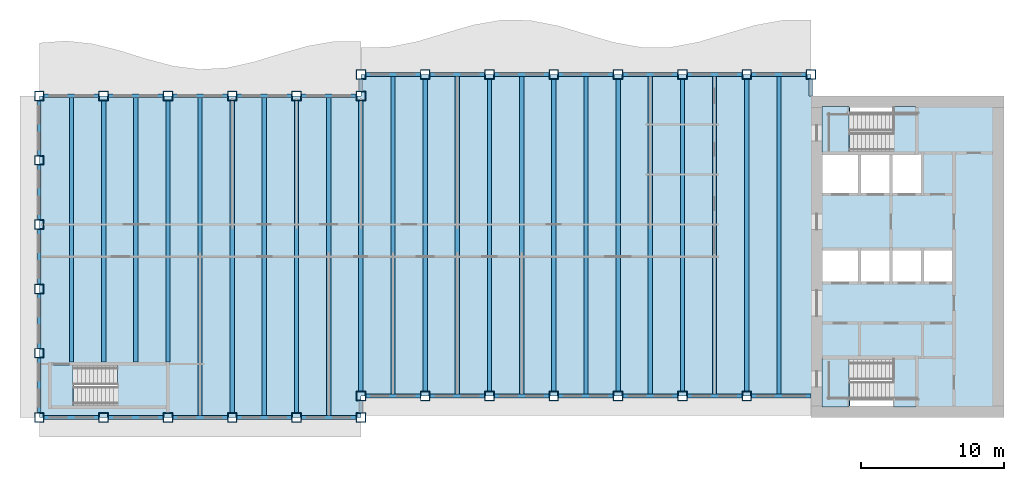
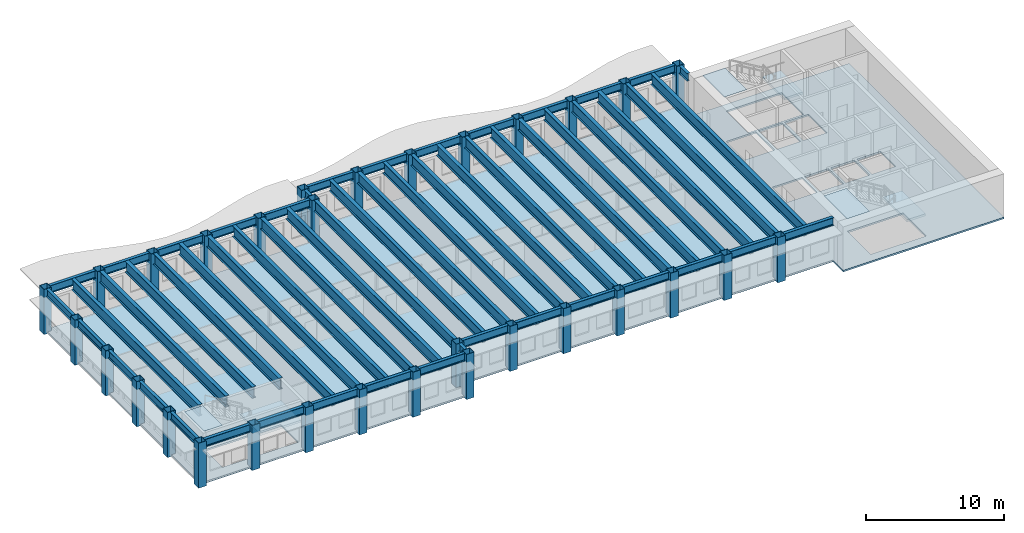
# One storey, part 1 of 12: 55 beams, 31 columns, 7 slabs, 3 elements without a shape of their own.
"""IFC4 building model written with IfcOpenShell, lengths in metres."""

from ifc_helpers import new_model, si_unit, direction, frame, origin, origin_2d, place, context, subcontext, project, spatial, polyline, hollow_rectangle, i_section, outline, extrude, material, layer, layer_set, material_profile, profile_set, type_object, element, aggregate, save


model = new_model("IFC4")

# Units and contexts
model_context = context("Model", 3, precision=1e-05, world=origin(), true_north=direction((0.0, 1.0)))
body_context = subcontext(model_context, "Body", "Model", "MODEL_VIEW")
ifc_project = project(units=[si_unit("LENGTHUNIT", "METRE"), si_unit("AREAUNIT", "SQUARE_METRE"), si_unit("VOLUMEUNIT", "CUBIC_METRE"), si_unit("PLANEANGLEUNIT", "RADIAN"), si_unit("MASSUNIT", "GRAM", prefix="KILO")], contexts=[model_context])

# Site, building, storey
site_placement = place(None, origin())
site = spatial("IfcSite", under=ifc_project, at=site_placement, CompositionType="ELEMENT")
building_placement = place(site_placement, origin())
building = spatial("IfcBuilding", under=site, at=building_placement, Name="Sennacour Bend Tower", CompositionType="ELEMENT")
storey_placement = place(building_placement, frame((0.0, 0.0, 265.0)))
storey = spatial("IfcBuildingStorey", under=building, at=storey_placement, Name="L61", CompositionType="ELEMENT", Elevation=265.0)

# Columns
ifc_material_1 = material(Name="Steel ASTM A572 Grade 50", Category="steel")
ifc_material_profile_1 = material_profile(ifc_material_1, hollow_rectangle(XDim=0.64990234375, YDim=0.64990234375, WallThickness=0.031982421875, at=origin_2d()), Name="Steel ASTM A572 Grade 50", Category="steel")
ifc_profile_set_1 = profile_set([ifc_material_profile_1], Name="Steel ASTM A572 Grade 50")
column_type = type_object("IfcColumnType", Name="Box column 650", PredefinedType="COLUMN", material=ifc_profile_set_1)
for number, where, z_axis, x_axis, name in (
    (1, (0.0, 0.0, -0.14990234375), (0.0, 0.0, 1.0), (1.0, 0.0, 0.0), "Perimeter column C5 L61-001"),
    (2, (0.0, 4.5, -0.14990234375), (0.0, 0.0, 1.0), (1.0, 0.0, 0.0), "Perimeter column C5 L61-002"),
    (3, (0.0, 9.0, -0.14990234375), (0.0, 0.0, 1.0), (1.0, 0.0, 0.0), "Perimeter column C5 L61-003"),
    (4, (0.0, 13.5, -0.14990234375), (0.0, 0.0, 1.0), (1.0, 0.0, 0.0), "Perimeter column C5 L61-004"),
    (5, (0.0, 18.0, -0.14990234375), (0.0, 0.0, 1.0), (1.0, 0.0, 0.0), "Perimeter column C5 L61-005"),
    (6, (0.0, 22.5, -0.14990234375), (0.0, 0.0, 1.0), (1.0, 0.0, 0.0), "Perimeter column C5 L61-006"),
    (7, (4.5, 0.0, -0.14990234375), (0.0, 0.0, 1.0), (1.0, 0.0, 0.0), "Perimeter column C5 L61-007"),
    (8, (4.5, 22.5, -0.14990234375), (0.0, 0.0, 1.0), (1.0, 0.0, 0.0), "Perimeter column C5 L61-008"),
    (9, (9.0, 0.0, -0.14990234375), (0.0, 0.0, 1.0), (1.0, 0.0, 0.0), "Perimeter column C5 L61-009"),
    (10, (9.0, 22.5, -0.14990234375), (0.0, 0.0, 1.0), (1.0, 0.0, 0.0), "Perimeter column C5 L61-010"),
    (11, (13.5, 0.0, -0.14990234375), (0.0, 0.0, 1.0), (1.0, 0.0, 0.0), "Perimeter column C5 L61-011"),
    (12, (13.5, 22.5, -0.14990234375), (0.0, 0.0, 1.0), (1.0, 0.0, 0.0), "Perimeter column C5 L61-012"),
    (13, (18.0, 0.0, -0.14990234375), (0.0, 0.0, 1.0), (1.0, 0.0, 0.0), "Perimeter column C5 L61-013"),
    (14, (18.0, 22.5, -0.14990234375), (0.0, 0.0, 1.0), (1.0, 0.0, 0.0), "Perimeter column C5 L61-014"),
    (15, (22.5, 0.0, -0.14990234375), (0.0, 0.0, 1.0), (1.0, 0.0, 0.0), "Perimeter column C5 L61-015"),
    (16, (22.5, 1.5, -0.14990234375), (0.0, 0.0, 1.0), (1.0, 0.0, 0.0), "Perimeter column C5 L61-016"),
    (17, (22.5, 22.5, -0.14990234375), (0.0, 0.0, 1.0), (1.0, 0.0, 0.0), "Perimeter column C5 L61-017"),
    (18, (22.5, 24.0, -0.14990234375), (0.0, 0.0, 1.0), (1.0, 0.0, 0.0), "Perimeter column C5 L61-018"),
    (19, (27.0, 1.5, -0.14990234375), (0.0, 0.0, 1.0), (1.0, 0.0, 0.0), "Perimeter column C5 L61-019"),
    (20, (27.0, 24.0, -0.14990234375), (0.0, 0.0, 1.0), (1.0, 0.0, 0.0), "Perimeter column C5 L61-020"),
    (21, (31.5, 1.5, -0.14990234375), (0.0, 0.0, 1.0), (1.0, 0.0, 0.0), "Perimeter column C5 L61-021"),
    (22, (31.5, 24.0, -0.14990234375), (0.0, 0.0, 1.0), (1.0, 0.0, 0.0), "Perimeter column C5 L61-022"),
    (23, (36.0, 1.5, -0.14990234375), (0.0, 0.0, 1.0), (1.0, 0.0, 0.0), "Perimeter column C5 L61-023"),
    (24, (36.0, 24.0, -0.14990234375), (0.0, 0.0, 1.0), (1.0, 0.0, 0.0), "Perimeter column C5 L61-024"),
    (25, (40.5, 1.5, -0.14990234375), (0.0, 0.0, 1.0), (1.0, 0.0, 0.0), "Perimeter column C5 L61-025"),
    (26, (40.5, 24.0, -0.14990234375), (0.0, 0.0, 1.0), (1.0, 0.0, 0.0), "Perimeter column C5 L61-026"),
    (27, (45.0, 1.5, -0.14990234375), (0.0, 0.0, 1.0), (1.0, 0.0, 0.0), "Perimeter column C5 L61-027"),
    (28, (45.0, 24.0, -0.14990234375), (0.0, 0.0, 1.0), (1.0, 0.0, 0.0), "Perimeter column C5 L61-028"),
    (29, (49.5, 1.5, -0.14990234375), (0.0, 0.0, 1.0), (1.0, 0.0, 0.0), "Perimeter column C5 L61-029"),
    (30, (49.5, 24.0, -0.14990234375), (0.0, 0.0, 1.0), (1.0, 0.0, 0.0), "Perimeter column C5 L61-030"),
    (31, (54.0, 24.0, -0.14990234375), (0.0, 0.0, 1.0), (1.0, 0.0, 0.0), "Perimeter column C5 L61-031"),
):
    element("IfcColumn", number, at=place(storey_placement, frame(where, z_axis=z_axis, x_axis=x_axis)), inside=storey, type_object=column_type, Name=name, PredefinedType="COLUMN", context=body_context, shape_type="SweptSolid", body=[
        extrude(hollow_rectangle(XDim=0.64990234375, YDim=0.64990234375, WallThickness=0.031982421875, at=origin_2d()), origin(), (0.0, 0.0, 1.0), 4.0),
    ])

# Beams
ifc_material_2 = material(Name="Steel ASTM A992 Grade 50", Category="steel")
ifc_material_profile_2 = material_profile(ifc_material_2, i_section(OverallWidth=0.300048828125, OverallDepth=0.97998046875, WebThickness=0.0166015625, FlangeThickness=0.026123046875, FilletRadius=0.02978515625, at=origin_2d()), Name="Steel ASTM A992 Grade 50", Category="steel")
ifc_profile_set_2 = profile_set([ifc_material_profile_2], Name="Steel ASTM A992 Grade 50")
beam_type_1 = type_object("IfcBeamType", Name="Floor beam W1000X249", PredefinedType="BEAM", material=ifc_profile_set_2)
beam_1_placement = place(storey_placement, frame((2.25, 3.875, 3.360107421875), z_axis=(0.0, 1.0, 0.0), x_axis=(-1.0, 0.0, 0.0)))
element("IfcBeam", 32, at=beam_1_placement, inside=storey, type_object=beam_type_1, Name="Floor beam FBM2 L62-001", PredefinedType="BEAM", context=body_context, shape_type="SweptSolid", body=[
    extrude(i_section(OverallWidth=0.300048828125, OverallDepth=0.97998046875, WebThickness=0.0166015625, FlangeThickness=0.026123046875, FilletRadius=0.02978515625, at=origin_2d()), origin(), (0.0, 0.0, 1.0), 18.498046875),
])
beam_2_placement = place(storey_placement, frame((4.5, 3.875, 3.360107421875), z_axis=(0.0, 1.0, 0.0), x_axis=(-1.0, 0.0, 0.0)))
element("IfcBeam", 33, at=beam_2_placement, inside=storey, type_object=beam_type_1, Name="Floor beam FBM2 L62-002", PredefinedType="BEAM", context=body_context, shape_type="SweptSolid", body=[
    extrude(i_section(OverallWidth=0.300048828125, OverallDepth=0.97998046875, WebThickness=0.0166015625, FlangeThickness=0.026123046875, FilletRadius=0.02978515625, at=origin_2d()), origin(), (0.0, 0.0, 1.0), 18.300048828125),
])
beam_3_placement = place(storey_placement, frame((6.75, 3.875, 3.360107421875), z_axis=(0.0, 1.0, 0.0), x_axis=(-1.0, 0.0, 0.0)))
element("IfcBeam", 34, at=beam_3_placement, inside=storey, type_object=beam_type_1, Name="Floor beam FBM2 L62-003", PredefinedType="BEAM", context=body_context, shape_type="SweptSolid", body=[
    extrude(i_section(OverallWidth=0.300048828125, OverallDepth=0.97998046875, WebThickness=0.0166015625, FlangeThickness=0.026123046875, FilletRadius=0.02978515625, at=origin_2d()), origin(), (0.0, 0.0, 1.0), 18.498046875),
])
beam_4_placement = place(storey_placement, frame((9.0, 3.875, 3.360107421875), z_axis=(0.0, 1.0, 0.0), x_axis=(-1.0, 0.0, 0.0)))
element("IfcBeam", 35, at=beam_4_placement, inside=storey, type_object=beam_type_1, Name="Floor beam FBM2 L62-004", PredefinedType="BEAM", context=body_context, shape_type="SweptSolid", body=[
    extrude(i_section(OverallWidth=0.300048828125, OverallDepth=0.97998046875, WebThickness=0.0166015625, FlangeThickness=0.026123046875, FilletRadius=0.02978515625, at=origin_2d()), origin(), (0.0, 0.0, 1.0), 18.300048828125),
])
beam_5_placement = place(storey_placement, frame((11.25, 0.126953125, 3.360107421875), z_axis=(0.0, 1.0, 0.0), x_axis=(-1.0, 0.0, 0.0)))
element("IfcBeam", 36, at=beam_5_placement, inside=storey, type_object=beam_type_1, Name="Floor beam FBM2 L62-005", PredefinedType="BEAM", context=body_context, shape_type="SweptSolid", body=[
    extrude(i_section(OverallWidth=0.300048828125, OverallDepth=0.97998046875, WebThickness=0.0166015625, FlangeThickness=0.026123046875, FilletRadius=0.02978515625, at=origin_2d()), origin(), (0.0, 0.0, 1.0), 22.24609375),
])
beam_6_placement = place(storey_placement, frame((13.5, 0.324951171875, 3.360107421875), z_axis=(0.0, 1.0, 0.0), x_axis=(-1.0, 0.0, 0.0)))
element("IfcBeam", 37, at=beam_6_placement, inside=storey, type_object=beam_type_1, Name="Floor beam FBM2 L62-006", PredefinedType="BEAM", context=body_context, shape_type="SweptSolid", body=[
    extrude(i_section(OverallWidth=0.300048828125, OverallDepth=0.97998046875, WebThickness=0.0166015625, FlangeThickness=0.026123046875, FilletRadius=0.02978515625, at=origin_2d()), origin(), (0.0, 0.0, 1.0), 21.85009765625),
])
beam_7_placement = place(storey_placement, frame((15.75, 0.126953125, 3.360107421875), z_axis=(0.0, 1.0, 0.0), x_axis=(-1.0, 0.0, 0.0)))
element("IfcBeam", 38, at=beam_7_placement, inside=storey, type_object=beam_type_1, Name="Floor beam FBM2 L62-007", PredefinedType="BEAM", context=body_context, shape_type="SweptSolid", body=[
    extrude(i_section(OverallWidth=0.300048828125, OverallDepth=0.97998046875, WebThickness=0.0166015625, FlangeThickness=0.026123046875, FilletRadius=0.02978515625, at=origin_2d()), origin(), (0.0, 0.0, 1.0), 22.24609375),
])
beam_8_placement = place(storey_placement, frame((18.0, 0.324951171875, 3.360107421875), z_axis=(0.0, 1.0, 0.0), x_axis=(-1.0, 0.0, 0.0)))
element("IfcBeam", 39, at=beam_8_placement, inside=storey, type_object=beam_type_1, Name="Floor beam FBM2 L62-008", PredefinedType="BEAM", context=body_context, shape_type="SweptSolid", body=[
    extrude(i_section(OverallWidth=0.300048828125, OverallDepth=0.97998046875, WebThickness=0.0166015625, FlangeThickness=0.026123046875, FilletRadius=0.02978515625, at=origin_2d()), origin(), (0.0, 0.0, 1.0), 21.85009765625),
])
beam_9_placement = place(storey_placement, frame((20.25, 0.126953125, 3.360107421875), z_axis=(0.0, 1.0, 0.0), x_axis=(-1.0, 0.0, 0.0)))
element("IfcBeam", 40, at=beam_9_placement, inside=storey, type_object=beam_type_1, Name="Floor beam FBM2 L62-009", PredefinedType="BEAM", context=body_context, shape_type="SweptSolid", body=[
    extrude(i_section(OverallWidth=0.300048828125, OverallDepth=0.97998046875, WebThickness=0.0166015625, FlangeThickness=0.026123046875, FilletRadius=0.02978515625, at=origin_2d()), origin(), (0.0, 0.0, 1.0), 22.24609375),
])
beam_10_placement = place(storey_placement, frame((22.5, 1.824951171875, 3.360107421875), z_axis=(0.0, 1.0, 0.0), x_axis=(-1.0, 0.0, 0.0)))
element("IfcBeam", 41, at=beam_10_placement, inside=storey, type_object=beam_type_1, Name="Floor beam FBM2 L62-010", PredefinedType="BEAM", context=body_context, shape_type="SweptSolid", body=[
    extrude(i_section(OverallWidth=0.300048828125, OverallDepth=0.97998046875, WebThickness=0.0166015625, FlangeThickness=0.026123046875, FilletRadius=0.02978515625, at=origin_2d()), origin(), (0.0, 0.0, 1.0), 20.35009765625),
])
beam_11_placement = place(storey_placement, frame((24.75, 1.626953125, 3.360107421875), z_axis=(0.0, 1.0, 0.0), x_axis=(-1.0, 0.0, 0.0)))
element("IfcBeam", 42, at=beam_11_placement, inside=storey, type_object=beam_type_1, Name="Floor beam FBM2 L62-011", PredefinedType="BEAM", context=body_context, shape_type="SweptSolid", body=[
    extrude(i_section(OverallWidth=0.300048828125, OverallDepth=0.97998046875, WebThickness=0.0166015625, FlangeThickness=0.026123046875, FilletRadius=0.02978515625, at=origin_2d()), origin(), (0.0, 0.0, 1.0), 22.24609375),
])
beam_12_placement = place(storey_placement, frame((27.0, 1.824951171875, 3.360107421875), z_axis=(0.0, 1.0, 0.0), x_axis=(-1.0, 0.0, 0.0)))
element("IfcBeam", 43, at=beam_12_placement, inside=storey, type_object=beam_type_1, Name="Floor beam FBM2 L62-012", PredefinedType="BEAM", context=body_context, shape_type="SweptSolid", body=[
    extrude(i_section(OverallWidth=0.300048828125, OverallDepth=0.97998046875, WebThickness=0.0166015625, FlangeThickness=0.026123046875, FilletRadius=0.02978515625, at=origin_2d()), origin(), (0.0, 0.0, 1.0), 21.85009765625),
])
beam_13_placement = place(storey_placement, frame((29.25, 1.626953125, 3.360107421875), z_axis=(0.0, 1.0, 0.0), x_axis=(-1.0, 0.0, 0.0)))
element("IfcBeam", 44, at=beam_13_placement, inside=storey, type_object=beam_type_1, Name="Floor beam FBM2 L62-013", PredefinedType="BEAM", context=body_context, shape_type="SweptSolid", body=[
    extrude(i_section(OverallWidth=0.300048828125, OverallDepth=0.97998046875, WebThickness=0.0166015625, FlangeThickness=0.026123046875, FilletRadius=0.02978515625, at=origin_2d()), origin(), (0.0, 0.0, 1.0), 22.24609375),
])
beam_14_placement = place(storey_placement, frame((31.5, 1.824951171875, 3.360107421875), z_axis=(0.0, 1.0, 0.0), x_axis=(-1.0, 0.0, 0.0)))
element("IfcBeam", 45, at=beam_14_placement, inside=storey, type_object=beam_type_1, Name="Floor beam FBM2 L62-014", PredefinedType="BEAM", context=body_context, shape_type="SweptSolid", body=[
    extrude(i_section(OverallWidth=0.300048828125, OverallDepth=0.97998046875, WebThickness=0.0166015625, FlangeThickness=0.026123046875, FilletRadius=0.02978515625, at=origin_2d()), origin(), (0.0, 0.0, 1.0), 21.85009765625),
])
beam_15_placement = place(storey_placement, frame((33.75, 1.626953125, 3.360107421875), z_axis=(0.0, 1.0, 0.0), x_axis=(-1.0, 0.0, 0.0)))
element("IfcBeam", 46, at=beam_15_placement, inside=storey, type_object=beam_type_1, Name="Floor beam FBM2 L62-015", PredefinedType="BEAM", context=body_context, shape_type="SweptSolid", body=[
    extrude(i_section(OverallWidth=0.300048828125, OverallDepth=0.97998046875, WebThickness=0.0166015625, FlangeThickness=0.026123046875, FilletRadius=0.02978515625, at=origin_2d()), origin(), (0.0, 0.0, 1.0), 22.24609375),
])
beam_16_placement = place(storey_placement, frame((36.0, 1.824951171875, 3.360107421875), z_axis=(0.0, 1.0, 0.0), x_axis=(-1.0, 0.0, 0.0)))
element("IfcBeam", 47, at=beam_16_placement, inside=storey, type_object=beam_type_1, Name="Floor beam FBM2 L62-016", PredefinedType="BEAM", context=body_context, shape_type="SweptSolid", body=[
    extrude(i_section(OverallWidth=0.300048828125, OverallDepth=0.97998046875, WebThickness=0.0166015625, FlangeThickness=0.026123046875, FilletRadius=0.02978515625, at=origin_2d()), origin(), (0.0, 0.0, 1.0), 21.85009765625),
])
beam_17_placement = place(storey_placement, frame((38.25, 1.626953125, 3.360107421875), z_axis=(0.0, 1.0, 0.0), x_axis=(-1.0, 0.0, 0.0)))
element("IfcBeam", 48, at=beam_17_placement, inside=storey, type_object=beam_type_1, Name="Floor beam FBM2 L62-017", PredefinedType="BEAM", context=body_context, shape_type="SweptSolid", body=[
    extrude(i_section(OverallWidth=0.300048828125, OverallDepth=0.97998046875, WebThickness=0.0166015625, FlangeThickness=0.026123046875, FilletRadius=0.02978515625, at=origin_2d()), origin(), (0.0, 0.0, 1.0), 22.24609375),
])
beam_18_placement = place(storey_placement, frame((40.5, 1.824951171875, 3.360107421875), z_axis=(0.0, 1.0, 0.0), x_axis=(-1.0, 0.0, 0.0)))
element("IfcBeam", 49, at=beam_18_placement, inside=storey, type_object=beam_type_1, Name="Floor beam FBM2 L62-018", PredefinedType="BEAM", context=body_context, shape_type="SweptSolid", body=[
    extrude(i_section(OverallWidth=0.300048828125, OverallDepth=0.97998046875, WebThickness=0.0166015625, FlangeThickness=0.026123046875, FilletRadius=0.02978515625, at=origin_2d()), origin(), (0.0, 0.0, 1.0), 21.85009765625),
])
beam_19_placement = place(storey_placement, frame((42.75, 1.626953125, 3.360107421875), z_axis=(0.0, 1.0, 0.0), x_axis=(-1.0, 0.0, 0.0)))
element("IfcBeam", 50, at=beam_19_placement, inside=storey, type_object=beam_type_1, Name="Floor beam FBM2 L62-019", PredefinedType="BEAM", context=body_context, shape_type="SweptSolid", body=[
    extrude(i_section(OverallWidth=0.300048828125, OverallDepth=0.97998046875, WebThickness=0.0166015625, FlangeThickness=0.026123046875, FilletRadius=0.02978515625, at=origin_2d()), origin(), (0.0, 0.0, 1.0), 22.24609375),
])
beam_20_placement = place(storey_placement, frame((45.0, 1.824951171875, 3.360107421875), z_axis=(0.0, 1.0, 0.0), x_axis=(-1.0, 0.0, 0.0)))
element("IfcBeam", 51, at=beam_20_placement, inside=storey, type_object=beam_type_1, Name="Floor beam FBM2 L62-020", PredefinedType="BEAM", context=body_context, shape_type="SweptSolid", body=[
    extrude(i_section(OverallWidth=0.300048828125, OverallDepth=0.97998046875, WebThickness=0.0166015625, FlangeThickness=0.026123046875, FilletRadius=0.02978515625, at=origin_2d()), origin(), (0.0, 0.0, 1.0), 21.85009765625),
])
beam_21_placement = place(storey_placement, frame((47.25, 1.626953125, 3.360107421875), z_axis=(0.0, 1.0, 0.0), x_axis=(-1.0, 0.0, 0.0)))
element("IfcBeam", 52, at=beam_21_placement, inside=storey, type_object=beam_type_1, Name="Floor beam FBM2 L62-021", PredefinedType="BEAM", context=body_context, shape_type="SweptSolid", body=[
    extrude(i_section(OverallWidth=0.300048828125, OverallDepth=0.97998046875, WebThickness=0.0166015625, FlangeThickness=0.026123046875, FilletRadius=0.02978515625, at=origin_2d()), origin(), (0.0, 0.0, 1.0), 22.24609375),
])
beam_22_placement = place(storey_placement, frame((49.5, 1.824951171875, 3.360107421875), z_axis=(0.0, 1.0, 0.0), x_axis=(-1.0, 0.0, 0.0)))
element("IfcBeam", 53, at=beam_22_placement, inside=storey, type_object=beam_type_1, Name="Floor beam FBM2 L62-022", PredefinedType="BEAM", context=body_context, shape_type="SweptSolid", body=[
    extrude(i_section(OverallWidth=0.300048828125, OverallDepth=0.97998046875, WebThickness=0.0166015625, FlangeThickness=0.026123046875, FilletRadius=0.02978515625, at=origin_2d()), origin(), (0.0, 0.0, 1.0), 21.85009765625),
])
beam_23_placement = place(storey_placement, frame((51.75, 1.626953125, 3.360107421875), z_axis=(0.0, 1.0, 0.0), x_axis=(-1.0, 0.0, 0.0)))
element("IfcBeam", 54, at=beam_23_placement, inside=storey, type_object=beam_type_1, Name="Floor beam FBM2 L62-023", PredefinedType="BEAM", context=body_context, shape_type="SweptSolid", body=[
    extrude(i_section(OverallWidth=0.300048828125, OverallDepth=0.97998046875, WebThickness=0.0166015625, FlangeThickness=0.026123046875, FilletRadius=0.02978515625, at=origin_2d()), origin(), (0.0, 0.0, 1.0), 22.24609375),
])
ifc_material_profile_3 = material_profile(ifc_material_2, i_section(OverallWidth=0.25390625, OverallDepth=0.68798828125, WebThickness=0.01318359375, FlangeThickness=0.02099609375, FilletRadius=0.01513671875, at=origin_2d()), Name="Steel ASTM A992 Grade 50", Category="steel")
ifc_profile_set_3 = profile_set([ifc_material_profile_3], Name="Steel ASTM A992 Grade 50")
beam_type_2 = type_object("IfcBeamType", Name="Spandrel beam W690X152", PredefinedType="SPANDREL", material=ifc_profile_set_3)
for number, where, z_axis, x_axis, name in (
    (55, (22.175048828125, 0.0, 3.506103515625), (-1.0, 0.0, 0.0), (0.0, -1.0, 0.0), "Spandrel beam SP6 L62-001"),
    (56, (17.675048828125, 0.0, 3.506103515625), (-1.0, 0.0, 0.0), (0.0, -1.0, 0.0), "Spandrel beam SP6 L62-002"),
    (57, (13.175048828125, 0.0, 3.506103515625), (-1.0, 0.0, 0.0), (0.0, -1.0, 0.0), "Spandrel beam SP6 L62-003"),
    (58, (8.675048828125, 0.0, 3.506103515625), (-1.0, 0.0, 0.0), (0.0, -1.0, 0.0), "Spandrel beam SP6 L62-004"),
    (59, (4.175048828125, 0.0, 3.506103515625), (-1.0, 0.0, 0.0), (0.0, -1.0, 0.0), "Spandrel beam SP6 L62-005"),
    (60, (0.0, 0.324951171875, 3.506103515625), (0.0, 1.0, 0.0), (-1.0, 0.0, 0.0), "Spandrel beam SP6 L62-006"),
    (61, (0.0, 4.824951171875, 3.506103515625), (0.0, 1.0, 0.0), (-1.0, 0.0, 0.0), "Spandrel beam SP6 L62-007"),
    (62, (0.0, 9.324951171875, 3.506103515625), (0.0, 1.0, 0.0), (-1.0, 0.0, 0.0), "Spandrel beam SP6 L62-008"),
    (63, (0.0, 13.824951171875, 3.506103515625), (0.0, 1.0, 0.0), (-1.0, 0.0, 0.0), "Spandrel beam SP6 L62-009"),
    (64, (0.0, 18.324951171875, 3.506103515625), (0.0, 1.0, 0.0), (-1.0, 0.0, 0.0), "Spandrel beam SP6 L62-010"),
    (65, (0.324951171875, 22.5, 3.506103515625), (1.0, 0.0, 0.0), (0.0, 1.0, 0.0), "Spandrel beam SP6 L62-011"),
    (66, (4.824951171875, 22.5, 3.506103515625), (1.0, 0.0, 0.0), (0.0, 1.0, 0.0), "Spandrel beam SP6 L62-012"),
    (67, (9.324951171875, 22.5, 3.506103515625), (1.0, 0.0, 0.0), (0.0, 1.0, 0.0), "Spandrel beam SP6 L62-013"),
    (68, (13.824951171875, 22.5, 3.506103515625), (1.0, 0.0, 0.0), (0.0, 1.0, 0.0), "Spandrel beam SP6 L62-014"),
    (69, (18.324951171875, 22.5, 3.506103515625), (1.0, 0.0, 0.0), (0.0, 1.0, 0.0), "Spandrel beam SP6 L62-015"),
):
    element("IfcBeam", number, at=place(storey_placement, frame(where, z_axis=z_axis, x_axis=x_axis)), inside=storey, type_object=beam_type_2, Name=name, PredefinedType="SPANDREL", context=body_context, shape_type="SweptSolid", body=[
        extrude(i_section(OverallWidth=0.25390625, OverallDepth=0.68798828125, WebThickness=0.01318359375, FlangeThickness=0.02099609375, FilletRadius=0.01513671875, at=origin_2d()), origin(), (0.0, 0.0, 1.0), 3.85009765625),
    ])
beam_24_placement = place(storey_placement, frame((22.5, 22.824951171875, 3.506103515625), z_axis=(0.0, 1.0, 0.0), x_axis=(-1.0, 0.0, 0.0)))
element("IfcBeam", 70, at=beam_24_placement, inside=storey, type_object=beam_type_2, Name="Spandrel beam SP6 L62-016", PredefinedType="SPANDREL", context=body_context, shape_type="SweptSolid", body=[
    extrude(i_section(OverallWidth=0.25390625, OverallDepth=0.68798828125, WebThickness=0.01318359375, FlangeThickness=0.02099609375, FilletRadius=0.01513671875, at=origin_2d()), origin(), (0.0, 0.0, 1.0), 0.85009765625),
])
for number, where, z_axis, x_axis, name in (
    (71, (22.824951171875, 24.0, 3.506103515625), (1.0, 0.0, 0.0), (0.0, 1.0, 0.0), "Spandrel beam SP6 L62-017"),
    (72, (27.324951171875, 24.0, 3.506103515625), (1.0, 0.0, 0.0), (0.0, 1.0, 0.0), "Spandrel beam SP6 L62-018"),
    (73, (31.824951171875, 24.0, 3.506103515625), (1.0, 0.0, 0.0), (0.0, 1.0, 0.0), "Spandrel beam SP6 L62-019"),
    (74, (36.324951171875, 24.0, 3.506103515625), (1.0, 0.0, 0.0), (0.0, 1.0, 0.0), "Spandrel beam SP6 L62-020"),
    (75, (40.824951171875, 24.0, 3.506103515625), (1.0, 0.0, 0.0), (0.0, 1.0, 0.0), "Spandrel beam SP6 L62-021"),
    (76, (45.324951171875, 24.0, 3.506103515625), (1.0, 0.0, 0.0), (0.0, 1.0, 0.0), "Spandrel beam SP6 L62-022"),
    (77, (49.824951171875, 24.0, 3.506103515625), (1.0, 0.0, 0.0), (0.0, 1.0, 0.0), "Spandrel beam SP6 L62-023"),
):
    element("IfcBeam", number, at=place(storey_placement, frame(where, z_axis=z_axis, x_axis=x_axis)), inside=storey, type_object=beam_type_2, Name=name, PredefinedType="SPANDREL", context=body_context, shape_type="SweptSolid", body=[
        extrude(i_section(OverallWidth=0.25390625, OverallDepth=0.68798828125, WebThickness=0.01318359375, FlangeThickness=0.02099609375, FilletRadius=0.01513671875, at=origin_2d()), origin(), (0.0, 0.0, 1.0), 3.85009765625),
    ])
beam_25_placement = place(storey_placement, frame((54.0, 23.675048828125, 3.506103515625), z_axis=(0.0, -1.0, 0.0), x_axis=(1.0, 0.0, 0.0)))
element("IfcBeam", 78, at=beam_25_placement, inside=storey, type_object=beam_type_2, Name="Spandrel beam SP6 L62-024", PredefinedType="SPANDREL", context=body_context, shape_type="SweptSolid", body=[
    extrude(i_section(OverallWidth=0.25390625, OverallDepth=0.68798828125, WebThickness=0.01318359375, FlangeThickness=0.02099609375, FilletRadius=0.01513671875, at=origin_2d()), origin(), (0.0, 0.0, 1.0), 1.175048828125),
])
beam_26_placement = place(storey_placement, frame((54.0, 1.5, 3.506103515625), z_axis=(-1.0, 0.0, 0.0), x_axis=(0.0, -1.0, 0.0)))
element("IfcBeam", 79, at=beam_26_placement, inside=storey, type_object=beam_type_2, Name="Spandrel beam SP6 L62-025", PredefinedType="SPANDREL", context=body_context, shape_type="SweptSolid", body=[
    extrude(i_section(OverallWidth=0.25390625, OverallDepth=0.68798828125, WebThickness=0.01318359375, FlangeThickness=0.02099609375, FilletRadius=0.01513671875, at=origin_2d()), origin(), (0.0, 0.0, 1.0), 4.175048828125),
])
for number, where, z_axis, x_axis, name in (
    (80, (49.175048828125, 1.5, 3.506103515625), (-1.0, 0.0, 0.0), (0.0, -1.0, 0.0), "Spandrel beam SP6 L62-026"),
    (81, (44.675048828125, 1.5, 3.506103515625), (-1.0, 0.0, 0.0), (0.0, -1.0, 0.0), "Spandrel beam SP6 L62-027"),
    (82, (40.175048828125, 1.5, 3.506103515625), (-1.0, 0.0, 0.0), (0.0, -1.0, 0.0), "Spandrel beam SP6 L62-028"),
    (83, (35.675048828125, 1.5, 3.506103515625), (-1.0, 0.0, 0.0), (0.0, -1.0, 0.0), "Spandrel beam SP6 L62-029"),
    (84, (31.175048828125, 1.5, 3.506103515625), (-1.0, 0.0, 0.0), (0.0, -1.0, 0.0), "Spandrel beam SP6 L62-030"),
    (85, (26.675048828125, 1.5, 3.506103515625), (-1.0, 0.0, 0.0), (0.0, -1.0, 0.0), "Spandrel beam SP6 L62-031"),
):
    element("IfcBeam", number, at=place(storey_placement, frame(where, z_axis=z_axis, x_axis=x_axis)), inside=storey, type_object=beam_type_2, Name=name, PredefinedType="SPANDREL", context=body_context, shape_type="SweptSolid", body=[
        extrude(i_section(OverallWidth=0.25390625, OverallDepth=0.68798828125, WebThickness=0.01318359375, FlangeThickness=0.02099609375, FilletRadius=0.01513671875, at=origin_2d()), origin(), (0.0, 0.0, 1.0), 3.85009765625),
    ])
beam_27_placement = place(storey_placement, frame((22.5, 1.175048828125, 3.506103515625), z_axis=(0.0, -1.0, 0.0), x_axis=(1.0, 0.0, 0.0)))
element("IfcBeam", 86, at=beam_27_placement, inside=storey, type_object=beam_type_2, Name="Spandrel beam SP6 L62-032", PredefinedType="SPANDREL", context=body_context, shape_type="SweptSolid", body=[
    extrude(i_section(OverallWidth=0.25390625, OverallDepth=0.68798828125, WebThickness=0.01318359375, FlangeThickness=0.02099609375, FilletRadius=0.01513671875, at=origin_2d()), origin(), (0.0, 0.0, 1.0), 0.85009765625),
])

# Slabs
ifc_material_3 = material(Name="Concrete C30/37", Category="concrete")
ifc_layer_1 = layer(ifc_material_3, 0.14990234375, Name="Concrete C30/37", Category="concrete")
ifc_layer_set_1 = layer_set([ifc_layer_1], Name="Concrete C30/37")
slab_type_1 = type_object("IfcSlabType", Name="Floor slab 150", PredefinedType="FLOOR", material=ifc_layer_set_1)
slab_1_placement = place(storey_placement, frame((0.0, 0.0, -0.14990234375)))
element("IfcSlab", 87, at=slab_1_placement, inside=storey, type_object=slab_type_1, Name="Floor slab L61-01", PredefinedType="FLOOR", context=body_context, shape_type="SweptSolid", body=[
    extrude(outline(polyline([(0.0, 0.0), (0.0, 22.5), (22.5, 22.5), (22.5, 24.0), (54.0, 24.0), (54.0, 22.5), (67.5, 22.5), (67.5, 0.0), (54.0, 0.0), (54.0, 1.5), (22.5, 1.5), (22.5, 0.0), (0.0, 0.0)]), holes=[polyline([(8.800048828125, 3.5), (2.429931640625, 3.5), (2.429931640625, 0.949951171875), (8.800048828125, 0.949951171875), (8.800048828125, 3.5)]), polyline([(61.39990234375, 4.125), (56.72998046875, 4.125), (56.72998046875, 0.75), (61.39990234375, 0.75), (61.39990234375, 4.125)]), polyline([(57.300048828125, 11.699951171875), (54.800048828125, 11.699951171875), (54.800048828125, 9.5), (57.300048828125, 9.5), (57.300048828125, 11.699951171875)]), polyline([(59.5, 9.5), (59.5, 11.699951171875), (57.5, 11.699951171875), (57.5, 9.5), (59.5, 9.5)]), polyline([(61.699951171875, 9.5), (61.699951171875, 11.699951171875), (59.699951171875, 11.699951171875), (59.699951171875, 9.5), (61.699951171875, 9.5)]), polyline([(63.89990234375, 11.699951171875), (61.89990234375, 11.699951171875), (61.89990234375, 9.5), (63.89990234375, 9.5), (63.89990234375, 11.699951171875)]), polyline([(57.300048828125, 18.39990234375), (54.800048828125, 18.39990234375), (54.800048828125, 15.699951171875), (57.300048828125, 15.699951171875), (57.300048828125, 18.39990234375)]), polyline([(59.5, 18.39990234375), (57.5, 18.39990234375), (57.5, 15.699951171875), (59.5, 15.699951171875), (59.5, 18.39990234375)]), polyline([(61.699951171875, 15.699951171875), (61.699951171875, 18.39990234375), (59.699951171875, 18.39990234375), (59.699951171875, 15.699951171875), (61.699951171875, 15.699951171875)]), polyline([(61.39990234375, 18.574951171875), (61.39990234375, 21.75), (56.72998046875, 21.75), (56.72998046875, 18.574951171875), (61.39990234375, 18.574951171875)])]), origin(), (0.0, 0.0, 1.0), 0.14990234375),
])
ifc_material_4 = material(Name="Concrete C40/50", Category="concrete")
ifc_layer_2 = layer(ifc_material_4, 0.034912109375, Name="Concrete C40/50", Category="concrete")
ifc_layer_set_2 = layer_set([ifc_layer_2], Name="Concrete C40/50")
slab_type_2 = type_object("IfcSlabType", Name="Stair arrival nib 35", PredefinedType="FLOOR", material=ifc_layer_set_2)
slab_2_placement = place(storey_placement, frame((0.0, 0.0, 3.815185546875)))
element("IfcSlab", 88, at=slab_2_placement, inside=storey, type_object=slab_type_2, Name="L61 SA1 stair arrival nib", PredefinedType="FLOOR", context=body_context, shape_type="SweptSolid", body=[
    extrude(outline(polyline([(56.64208984375, 4.125), (54.75, 4.125), (54.75, 0.75), (56.64208984375, 0.75), (56.64208984375, 4.125)])), origin(), (0.0, 0.0, 1.0), 0.034912109375),
])
slab_3_placement = place(storey_placement, frame((0.0, 0.0, 3.815185546875)))
element("IfcSlab", 89, at=slab_3_placement, inside=storey, type_object=slab_type_2, Name="L61 SA2 stair arrival nib", PredefinedType="FLOOR", context=body_context, shape_type="SweptSolid", body=[
    extrude(outline(polyline([(56.64208984375, 21.75), (54.75, 21.75), (54.75, 18.574951171875), (56.64208984375, 18.574951171875), (56.64208984375, 21.75)])), origin(), (0.0, 0.0, 1.0), 0.034912109375),
])
slab_4_placement = place(storey_placement, frame((0.0, 0.0, 3.815185546875)))
element("IfcSlab", 90, at=slab_4_placement, inside=storey, type_object=slab_type_2, Name="L61 SK1 stair arrival nib", PredefinedType="FLOOR", context=body_context, shape_type="SweptSolid", body=[
    extrude(outline(polyline([(2.342041015625, 3.675048828125), (0.800048828125, 3.675048828125), (0.800048828125, 0.800048828125), (2.342041015625, 0.800048828125), (2.342041015625, 3.675048828125)])), origin(), (0.0, 0.0, 1.0), 0.034912109375),
])

# Stair, slab
stair_type = type_object("IfcStairType", Name="ST-DOGLEG", PredefinedType="HALF_TURN_STAIR", material=ifc_material_4)
stair_1_placement = place(storey_placement, origin())
stair_1 = element("IfcStair", 91, at=stair_1_placement, inside=storey, type_object=stair_type, Name="L61 Exit stair A1", PredefinedType="HALF_TURN_STAIR")
ifc_layer_3 = layer(ifc_material_4, 0.199951171875, Name="Concrete C40/50", Category="concrete")
ifc_layer_set_3 = layer_set([ifc_layer_3], Name="Concrete C40/50")
slab_type_3 = type_object("IfcSlabType", Name="Stair landing 200", PredefinedType="LANDING", material=ifc_layer_set_3)
slab_5_placement = place(storey_placement, frame((0.0, 0.0, 1.800048828125)))
slab_5 = element("IfcSlab", 92, at=slab_5_placement, type_object=slab_type_3, Name="SA1 landing 1", PredefinedType="LANDING", context=body_context, shape_type="SweptSolid", body=[
    extrude(outline(polyline([(59.780029296875, 0.75), (61.324951171875, 0.75), (61.324951171875, 4.125), (59.780029296875, 4.125), (59.780029296875, 0.75)])), origin(), (0.0, 0.0, 1.0), 0.199951171875),
])
aggregate(stair_1, [slab_5])

stair_2_placement = place(storey_placement, origin())
stair_2 = element("IfcStair", 93, at=stair_2_placement, inside=storey, type_object=stair_type, Name="L61 Exit stair A2", PredefinedType="HALF_TURN_STAIR")
slab_6_placement = place(storey_placement, frame((0.0, 0.0, 1.800048828125)))
slab_6 = element("IfcSlab", 94, at=slab_6_placement, type_object=slab_type_3, Name="SA2 landing 1", PredefinedType="LANDING", context=body_context, shape_type="SweptSolid", body=[
    extrude(outline(polyline([(59.780029296875, 18.574951171875), (61.324951171875, 18.574951171875), (61.324951171875, 21.75), (59.780029296875, 21.75), (59.780029296875, 18.574951171875)])), origin(), (0.0, 0.0, 1.0), 0.199951171875),
])
aggregate(stair_2, [slab_6])

stair_3_placement = place(storey_placement, origin())
stair_3 = element("IfcStair", 95, at=stair_3_placement, inside=storey, type_object=stair_type, Name="L61 Exit stair K1", PredefinedType="HALF_TURN_STAIR")
slab_7_placement = place(storey_placement, frame((0.0, 0.0, 1.800048828125)))
slab_7 = element("IfcSlab", 96, at=slab_7_placement, type_object=slab_type_3, Name="SK1 landing 1", PredefinedType="LANDING", context=body_context, shape_type="SweptSolid", body=[
    extrude(outline(polyline([(5.47998046875, 0.800048828125), (8.925048828125, 0.800048828125), (8.925048828125, 3.675048828125), (5.47998046875, 3.675048828125), (5.47998046875, 0.800048828125)])), origin(), (0.0, 0.0, 1.0), 0.199951171875),
])
aggregate(stair_3, [slab_7])

save(model, "model.ifc")
